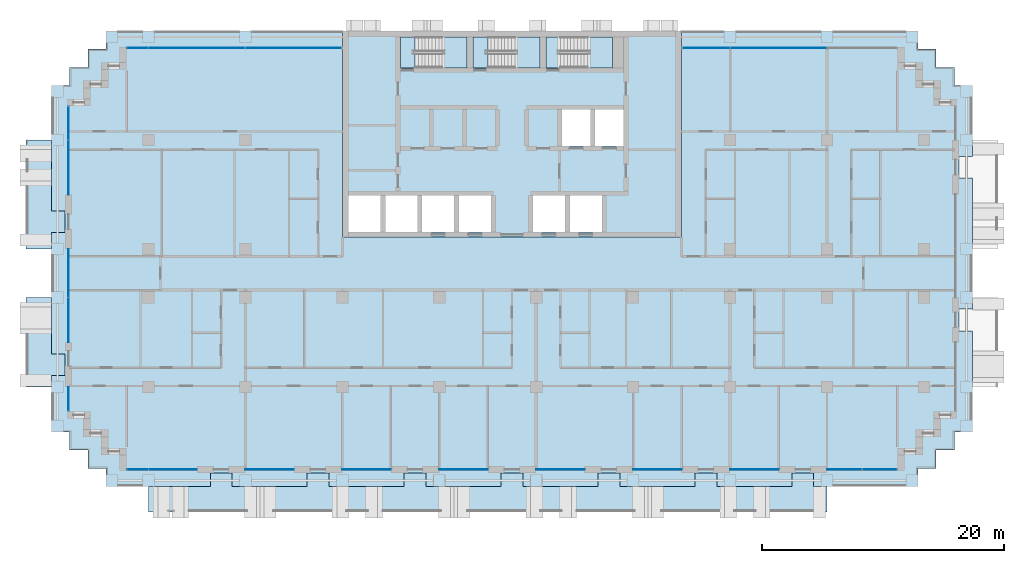
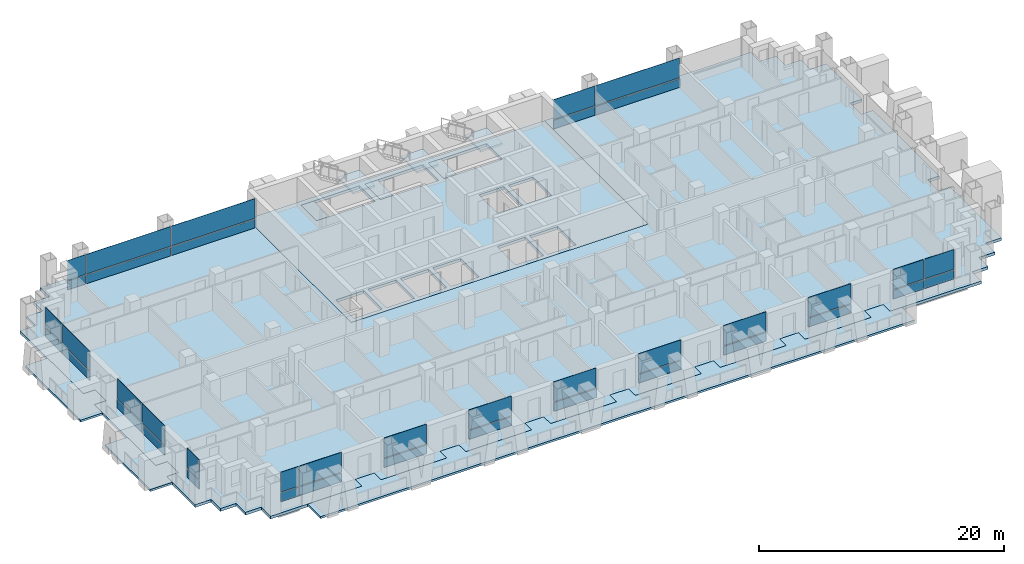
# One storey, part 7 of 18: 40 plates, 11 slabs, 16 elements without a shape of their own.
"""IFC4 building model written with IfcOpenShell, lengths in metres."""

from ifc_helpers import new_model, si_unit, direction, frame, origin, origin_2d, place, context, subcontext, project, spatial, polyline, rectangle, outline, extrude, material, layer, layer_set, type_object, element, aggregate, save


model = new_model("IFC4")

# Units and contexts
model_context = context("Model", 3, precision=1e-05, world=origin(), true_north=direction((0.0, 1.0)))
body_context = subcontext(model_context, "Body", "Model", "MODEL_VIEW")
ifc_project = project(units=[si_unit("LENGTHUNIT", "METRE"), si_unit("AREAUNIT", "SQUARE_METRE"), si_unit("VOLUMEUNIT", "CUBIC_METRE"), si_unit("PLANEANGLEUNIT", "RADIAN"), si_unit("MASSUNIT", "GRAM", prefix="KILO")], contexts=[model_context])

# Site, building, storey
site_placement = place(None, origin())
site = spatial("IfcSite", under=ifc_project, at=site_placement, CompositionType="ELEMENT")
building_placement = place(site_placement, origin())
building = spatial("IfcBuilding", under=site, at=building_placement, Name="Vidyagriha Tower", CompositionType="ELEMENT")
storey_placement = place(building_placement, frame((0.0, 0.0, 44.800048828125)))
storey = spatial("IfcBuildingStorey", under=building, at=storey_placement, Name="L11", CompositionType="ELEMENT", Elevation=44.800048828125)

# Curtain wall, plate
ifc_material_1 = material(Name="Aluminium and glass curtain wall", Category="aluminium")
curtain_wall_type = type_object("IfcCurtainWallType", Name="Dwelling skin unitised curtain wall", PredefinedType="USERDEFINED", material=ifc_material_1)
curtain_wall_1_placement = place(storey_placement, origin())
curtain_wall_1 = element("IfcCurtainWall", 1, at=curtain_wall_1_placement, inside=storey, type_object=curtain_wall_type, Name="CW1 dwelling skin", ObjectType="UNITISED", PredefinedType="USERDEFINED")
ifc_material_2 = material(Name="Glass dark ceramic-fritted spandrel", Category="glass")
ifc_layer_1 = layer(ifc_material_2, 0.0400390625)
ifc_layer_set_1 = layer_set([ifc_layer_1], Name="Glass dark ceramic-fritted spandrel")
plate_type_1 = type_object("IfcPlateType", Name="Ceramic-fritted spandrel panel", PredefinedType="CURTAIN_PANEL", material=ifc_layer_set_1)
plate_1_placement = place(storey_placement, frame((16.017578125, 18.60009765625, 0.0), z_axis=(0.0, 0.0, 1.0), x_axis=(-1.0, 0.0, 0.0)))
plate_1 = element("IfcPlate", 2, at=plate_1_placement, type_object=plate_type_1, Name="CW1 panel 3.1", PredefinedType="CURTAIN_PANEL", context=body_context, shape_type="SweptSolid", body=[
    extrude(rectangle(XDim=3.89501953125, YDim=0.0400390625, at=origin_2d()), origin(), (0.0, 0.0, 1.0), 0.85009765625),
])

# Curtain wall, plates
curtain_wall_2_placement = place(storey_placement, origin())
curtain_wall_2 = element("IfcCurtainWall", 3, at=curtain_wall_2_placement, inside=storey, type_object=curtain_wall_type, Name="CW1 dwelling skin", ObjectType="UNITISED", PredefinedType="USERDEFINED")
plate_2_placement = place(storey_placement, frame((-18.017578125, 18.60009765625, 0.0), z_axis=(0.0, 0.0, 1.0), x_axis=(-1.0, 0.0, 0.0)))
plate_2 = element("IfcPlate", 4, at=plate_2_placement, type_object=plate_type_1, Name="CW1 panel 1.1", PredefinedType="CURTAIN_PANEL", context=body_context, shape_type="SweptSolid", body=[
    extrude(rectangle(XDim=7.89501953125, YDim=0.0400390625, at=origin_2d()), origin(), (0.0, 0.0, 1.0), 0.85009765625),
])
plate_3_placement = place(storey_placement, frame((-30.882568359375, 18.60009765625, 0.0), z_axis=(0.0, 0.0, 1.0), x_axis=(-1.0, 0.0, 0.0)))
plate_3 = element("IfcPlate", 5, at=plate_3_placement, type_object=plate_type_1, Name="CW1 panel 3.1", PredefinedType="CURTAIN_PANEL", context=body_context, shape_type="SweptSolid", body=[
    extrude(rectangle(XDim=1.695068359375, YDim=0.0400390625, at=origin_2d()), origin(), (0.0, 0.0, 1.0), 0.85009765625),
])

curtain_wall_3_placement = place(storey_placement, origin())
curtain_wall_3 = element("IfcCurtainWall", 6, at=curtain_wall_3_placement, inside=storey, type_object=curtain_wall_type, Name="CW1 dwelling skin", ObjectType="UNITISED", PredefinedType="USERDEFINED")
plate_4_placement = place(storey_placement, frame((-36.60009765625, 12.382568359375, 0.0), z_axis=(0.0, 0.0, 1.0), x_axis=(0.0, -1.0, 0.0)))
plate_4 = element("IfcPlate", 7, at=plate_4_placement, type_object=plate_type_1, Name="CW1 panel 1.1", PredefinedType="CURTAIN_PANEL", context=body_context, shape_type="SweptSolid", body=[
    extrude(rectangle(XDim=2.695068359375, YDim=0.0400390625, at=origin_2d()), origin(), (0.0, 0.0, 1.0), 0.85009765625),
])
plate_5_placement = place(storey_placement, frame((-36.60009765625, 8.732421875, 0.0), z_axis=(0.0, 0.0, 1.0), x_axis=(0.0, -1.0, 0.0)))
plate_5 = element("IfcPlate", 8, at=plate_5_placement, type_object=plate_type_1, Name="CW1 panel 2.1", PredefinedType="CURTAIN_PANEL", context=body_context, shape_type="SweptSolid", body=[
    extrude(rectangle(XDim=4.465087890625, YDim=0.0400390625, at=origin_2d()), origin(), (0.0, 0.0, 1.0), 0.85009765625),
])

# Curtain wall, plate
curtain_wall_4_placement = place(storey_placement, origin())
curtain_wall_4 = element("IfcCurtainWall", 9, at=curtain_wall_4_placement, inside=storey, type_object=curtain_wall_type, Name="CW1 dwelling skin", ObjectType="UNITISED", PredefinedType="USERDEFINED")
plate_6_placement = place(storey_placement, frame((-36.60009765625, -10.364990234375, 0.0), z_axis=(0.0, 0.0, 1.0), x_axis=(0.0, -1.0, 0.0)))
plate_6 = element("IfcPlate", 10, at=plate_6_placement, type_object=plate_type_1, Name="CW1 panel 1.1", PredefinedType="CURTAIN_PANEL", context=body_context, shape_type="SweptSolid", body=[
    extrude(rectangle(XDim=1.929931640625, YDim=0.0400390625, at=origin_2d()), origin(), (0.0, 0.0, 1.0), 0.85009765625),
])

# Curtain wall, plates
curtain_wall_5_placement = place(storey_placement, origin())
curtain_wall_5 = element("IfcCurtainWall", 11, at=curtain_wall_5_placement, inside=storey, type_object=curtain_wall_type, Name="CW1 dwelling skin", ObjectType="UNITISED", PredefinedType="USERDEFINED")
plate_7_placement = place(storey_placement, frame((-30.882568359375, -16.199951171875, 0.0)))
plate_7 = element("IfcPlate", 12, at=plate_7_placement, type_object=plate_type_1, Name="CW1 panel 1.1", PredefinedType="CURTAIN_PANEL", context=body_context, shape_type="SweptSolid", body=[
    extrude(rectangle(XDim=1.695068359375, YDim=0.0400390625, at=origin_2d()), origin(), (0.0, 0.0, 1.0), 0.85009765625),
])
plate_8_placement = place(storey_placement, frame((-27.982421875, -16.199951171875, 0.0)))
plate_8 = element("IfcPlate", 13, at=plate_8_placement, type_object=plate_type_1, Name="CW1 panel 2.1", PredefinedType="CURTAIN_PANEL", context=body_context, shape_type="SweptSolid", body=[
    extrude(rectangle(XDim=3.965087890625, YDim=0.0400390625, at=origin_2d()), origin(), (0.0, 0.0, 1.0), 0.85009765625),
])

# Curtain wall, plate
curtain_wall_6_placement = place(storey_placement, origin())
curtain_wall_6 = element("IfcCurtainWall", 14, at=curtain_wall_6_placement, inside=storey, type_object=curtain_wall_type, Name="CW1 dwelling skin", ObjectType="UNITISED", PredefinedType="USERDEFINED")
plate_9_placement = place(storey_placement, frame((-12.0, -16.199951171875, 0.0)))
plate_9 = element("IfcPlate", 15, at=plate_9_placement, type_object=plate_type_1, Name="CW1 panel 1.1", PredefinedType="CURTAIN_PANEL", context=body_context, shape_type="SweptSolid", body=[
    extrude(rectangle(XDim=4.0, YDim=0.0400390625, at=origin_2d()), origin(), (0.0, 0.0, 1.0), 0.85009765625),
])

curtain_wall_7_placement = place(storey_placement, origin())
curtain_wall_7 = element("IfcCurtainWall", 16, at=curtain_wall_7_placement, inside=storey, type_object=curtain_wall_type, Name="CW1 dwelling skin", ObjectType="UNITISED", PredefinedType="USERDEFINED")
plate_10_placement = place(storey_placement, frame((4.0, -16.199951171875, 0.0)))
plate_10 = element("IfcPlate", 17, at=plate_10_placement, type_object=plate_type_1, Name="CW1 panel 1.1", PredefinedType="CURTAIN_PANEL", context=body_context, shape_type="SweptSolid", body=[
    extrude(rectangle(XDim=4.0, YDim=0.0400390625, at=origin_2d()), origin(), (0.0, 0.0, 1.0), 0.85009765625),
])

curtain_wall_8_placement = place(storey_placement, origin())
curtain_wall_8 = element("IfcCurtainWall", 18, at=curtain_wall_8_placement, inside=storey, type_object=curtain_wall_type, Name="CW1 dwelling skin", ObjectType="UNITISED", PredefinedType="USERDEFINED")
plate_11_placement = place(storey_placement, frame((20.0, -16.199951171875, 0.0)))
plate_11 = element("IfcPlate", 19, at=plate_11_placement, type_object=plate_type_1, Name="CW1 panel 1.1", PredefinedType="CURTAIN_PANEL", context=body_context, shape_type="SweptSolid", body=[
    extrude(rectangle(XDim=4.0, YDim=0.0400390625, at=origin_2d()), origin(), (0.0, 0.0, 1.0), 0.85009765625),
])

curtain_wall_9_placement = place(storey_placement, origin())
curtain_wall_9 = element("IfcCurtainWall", 20, at=curtain_wall_9_placement, inside=storey, type_object=curtain_wall_type, Name="CW1 dwelling skin", ObjectType="UNITISED", PredefinedType="USERDEFINED")
plate_12_placement = place(storey_placement, frame((30.33251953125, -16.199951171875, 0.0)))
plate_12 = element("IfcPlate", 21, at=plate_12_placement, type_object=plate_type_1, Name="CW1 panel 2.1", PredefinedType="CURTAIN_PANEL", context=body_context, shape_type="SweptSolid", body=[
    extrude(rectangle(XDim=2.794921875, YDim=0.0400390625, at=origin_2d()), origin(), (0.0, 0.0, 1.0), 0.85009765625),
])

# Slab
ifc_material_3 = material(Name="Concrete C60/75", Category="concrete")
ifc_layer_2 = layer(ifc_material_3, 0.280029296875)
ifc_layer_set_2 = layer_set([ifc_layer_2], Name="Concrete C60/75")
slab_type_1 = type_object("IfcSlabType", Name="Core floor slab 280 mm", PredefinedType="FLOOR", material=ifc_layer_set_2)
slab_1_placement = place(storey_placement, frame((0.0, 0.0, -0.280029296875)))
element("IfcSlab", 22, at=slab_1_placement, inside=storey, type_object=slab_type_1, Name="L11 core floor 1", PredefinedType="FLOOR", context=body_context, shape_type="SweptSolid", body=[
    extrude(outline(polyline([(-14.0, 3.0), (-14.0, 20.0), (14.0, 20.0), (14.0, 3.0), (-14.0, 3.0)]), holes=[polyline([(9.199951171875, 13.5), (6.86669921875, 13.5), (6.86669921875, 10.5), (9.199951171875, 10.5), (9.199951171875, 13.5)]), polyline([(4.0, 19.5), (2.800048828125, 19.5), (2.800048828125, 16.949951171875), (4.0, 16.949951171875), (8.300048828125, 16.949951171875), (8.300048828125, 19.5), (4.0, 19.5)]), polyline([(7.4111328125, 6.39990234375), (4.7666015625, 6.39990234375), (4.7666015625, 3.39990234375), (7.4111328125, 3.39990234375), (7.4111328125, 6.39990234375)]), polyline([(6.466796875, 13.5), (4.13330078125, 13.5), (4.13330078125, 10.5), (6.466796875, 10.5), (6.466796875, 13.5)]), polyline([(1.72216796875, 6.39990234375), (1.72216796875, 3.39990234375), (4.36669921875, 3.39990234375), (4.36669921875, 6.39990234375), (1.72216796875, 6.39990234375)]), polyline([(-2.0, 16.949951171875), (2.300048828125, 16.949951171875), (2.300048828125, 19.5), (-2.0, 19.5), (-3.199951171875, 19.5), (-3.199951171875, 16.949951171875), (-2.0, 16.949951171875)]), polyline([(-1.72216796875, 6.39990234375), (-4.36669921875, 6.39990234375), (-4.36669921875, 3.39990234375), (-1.72216796875, 3.39990234375), (-1.72216796875, 6.39990234375)]), polyline([(-8.0, 19.5), (-9.199951171875, 19.5), (-9.199951171875, 16.949951171875), (-8.0, 16.949951171875), (-3.699951171875, 16.949951171875), (-3.699951171875, 19.5), (-8.0, 19.5)]), polyline([(-4.7666015625, 6.39990234375), (-7.4111328125, 6.39990234375), (-7.4111328125, 3.39990234375), (-4.7666015625, 3.39990234375), (-4.7666015625, 6.39990234375)]), polyline([(-7.81103515625, 6.39990234375), (-10.45556640625, 6.39990234375), (-10.45556640625, 3.39990234375), (-7.81103515625, 3.39990234375), (-7.81103515625, 6.39990234375)]), polyline([(-13.5, 6.39990234375), (-13.5, 3.39990234375), (-10.855712890625, 3.39990234375), (-10.855712890625, 6.39990234375), (-13.5, 6.39990234375)])]), origin(), (0.0, 0.0, 1.0), 0.280029296875),
])

# Plate
ifc_material_4 = material(Name="Glass dark ceramic-fritted", Category="glass")
ifc_layer_3 = layer(ifc_material_4, 0.028076171875)
ifc_layer_set_3 = layer_set([ifc_layer_3], Name="Glass dark ceramic-fritted")
plate_type_2 = type_object("IfcPlateType", Name="Dark ceramic-fritted vision glass panel", PredefinedType="CURTAIN_PANEL", material=ifc_layer_set_3)
plate_13_placement = place(storey_placement, frame((22.0, 18.60009765625, 0.9501953125), z_axis=(0.0, 0.0, 1.0), x_axis=(-1.0, 0.0, 0.0)))
plate_13 = element("IfcPlate", 23, at=plate_13_placement, type_object=plate_type_2, Name="CW1 panel 2.2", PredefinedType="CURTAIN_PANEL", context=body_context, shape_type="SweptSolid", body=[
    extrude(rectangle(XDim=7.929931640625, YDim=0.028076171875, at=origin_2d()), origin(), (0.0, 0.0, 1.0), 1.969970703125),
])

plate_14_placement = place(storey_placement, frame((16.017578125, 18.60009765625, 0.9501953125), z_axis=(0.0, 0.0, 1.0), x_axis=(-1.0, 0.0, 0.0)))
plate_14 = element("IfcPlate", 24, at=plate_14_placement, type_object=plate_type_2, Name="CW1 panel 3.2", PredefinedType="CURTAIN_PANEL", context=body_context, shape_type="SweptSolid", body=[
    extrude(rectangle(XDim=3.89501953125, YDim=0.028076171875, at=origin_2d()), origin(), (0.0, 0.0, 1.0), 1.969970703125),
])

plate_15_placement = place(storey_placement, frame((-18.017578125, 18.60009765625, 0.9501953125), z_axis=(0.0, 0.0, 1.0), x_axis=(-1.0, 0.0, 0.0)))
plate_15 = element("IfcPlate", 25, at=plate_15_placement, type_object=plate_type_2, Name="CW1 panel 1.2", PredefinedType="CURTAIN_PANEL", context=body_context, shape_type="SweptSolid", body=[
    extrude(rectangle(XDim=7.89501953125, YDim=0.028076171875, at=origin_2d()), origin(), (0.0, 0.0, 1.0), 1.969970703125),
])

plate_16_placement = place(storey_placement, frame((-26.0, 18.60009765625, 0.9501953125), z_axis=(0.0, 0.0, 1.0), x_axis=(-1.0, 0.0, 0.0)))
plate_16 = element("IfcPlate", 26, at=plate_16_placement, type_object=plate_type_2, Name="CW1 panel 2.2", PredefinedType="CURTAIN_PANEL", context=body_context, shape_type="SweptSolid", body=[
    extrude(rectangle(XDim=7.929931640625, YDim=0.028076171875, at=origin_2d()), origin(), (0.0, 0.0, 1.0), 1.969970703125),
])

plate_17_placement = place(storey_placement, frame((-30.882568359375, 18.60009765625, 0.9501953125), z_axis=(0.0, 0.0, 1.0), x_axis=(-1.0, 0.0, 0.0)))
plate_17 = element("IfcPlate", 27, at=plate_17_placement, type_object=plate_type_2, Name="CW1 panel 3.2", PredefinedType="CURTAIN_PANEL", context=body_context, shape_type="SweptSolid", body=[
    extrude(rectangle(XDim=1.695068359375, YDim=0.028076171875, at=origin_2d()), origin(), (0.0, 0.0, 1.0), 1.969970703125),
])

plate_18_placement = place(storey_placement, frame((-36.60009765625, 12.382568359375, 0.9501953125), z_axis=(0.0, 0.0, 1.0), x_axis=(0.0, -1.0, 0.0)))
plate_18 = element("IfcPlate", 28, at=plate_18_placement, type_object=plate_type_2, Name="CW1 panel 1.2", PredefinedType="CURTAIN_PANEL", context=body_context, shape_type="SweptSolid", body=[
    extrude(rectangle(XDim=2.695068359375, YDim=0.028076171875, at=origin_2d()), origin(), (0.0, 0.0, 1.0), 1.969970703125),
])

plate_19_placement = place(storey_placement, frame((-36.60009765625, 8.732421875, 0.9501953125), z_axis=(0.0, 0.0, 1.0), x_axis=(0.0, -1.0, 0.0)))
plate_19 = element("IfcPlate", 29, at=plate_19_placement, type_object=plate_type_2, Name="CW1 panel 2.2", PredefinedType="CURTAIN_PANEL", context=body_context, shape_type="SweptSolid", body=[
    extrude(rectangle(XDim=4.465087890625, YDim=0.028076171875, at=origin_2d()), origin(), (0.0, 0.0, 1.0), 1.969970703125),
])

aggregate(curtain_wall_3, [plate_4, plate_18, plate_5, plate_19])

# Curtain wall, plates
curtain_wall_10_placement = place(storey_placement, origin())
curtain_wall_10 = element("IfcCurtainWall", 30, at=curtain_wall_10_placement, inside=storey, type_object=curtain_wall_type, Name="CW1 dwelling skin", ObjectType="UNITISED", PredefinedType="USERDEFINED")
plate_20_placement = place(storey_placement, frame((-36.60009765625, 0.017578125, 0.9501953125), z_axis=(0.0, 0.0, 1.0), x_axis=(0.0, -1.0, 0.0)))
plate_20 = element("IfcPlate", 31, at=plate_20_placement, type_object=plate_type_2, Name="CW1 panel 1.2", PredefinedType="CURTAIN_PANEL", context=body_context, shape_type="SweptSolid", body=[
    extrude(rectangle(XDim=3.965087890625, YDim=0.028076171875, at=origin_2d()), origin(), (0.0, 0.0, 1.0), 1.969970703125),
])
plate_21_placement = place(storey_placement, frame((-36.60009765625, -3.867431640625, 0.9501953125), z_axis=(0.0, 0.0, 1.0), x_axis=(0.0, -1.0, 0.0)))
plate_21 = element("IfcPlate", 32, at=plate_21_placement, type_object=plate_type_2, Name="CW1 panel 2.2", PredefinedType="CURTAIN_PANEL", context=body_context, shape_type="SweptSolid", body=[
    extrude(rectangle(XDim=3.6650390625, YDim=0.028076171875, at=origin_2d()), origin(), (0.0, 0.0, 1.0), 1.969970703125),
])

# Plate
plate_22_placement = place(storey_placement, frame((-36.60009765625, -10.364990234375, 0.9501953125), z_axis=(0.0, 0.0, 1.0), x_axis=(0.0, -1.0, 0.0)))
plate_22 = element("IfcPlate", 33, at=plate_22_placement, type_object=plate_type_2, Name="CW1 panel 1.2", PredefinedType="CURTAIN_PANEL", context=body_context, shape_type="SweptSolid", body=[
    extrude(rectangle(XDim=1.929931640625, YDim=0.028076171875, at=origin_2d()), origin(), (0.0, 0.0, 1.0), 1.969970703125),
])

aggregate(curtain_wall_4, [plate_6, plate_22])

plate_23_placement = place(storey_placement, frame((-30.882568359375, -16.199951171875, 0.9501953125)))
plate_23 = element("IfcPlate", 34, at=plate_23_placement, type_object=plate_type_2, Name="CW1 panel 1.2", PredefinedType="CURTAIN_PANEL", context=body_context, shape_type="SweptSolid", body=[
    extrude(rectangle(XDim=1.695068359375, YDim=0.028076171875, at=origin_2d()), origin(), (0.0, 0.0, 1.0), 1.969970703125),
])

plate_24_placement = place(storey_placement, frame((-27.982421875, -16.199951171875, 0.9501953125)))
plate_24 = element("IfcPlate", 35, at=plate_24_placement, type_object=plate_type_2, Name="CW1 panel 2.2", PredefinedType="CURTAIN_PANEL", context=body_context, shape_type="SweptSolid", body=[
    extrude(rectangle(XDim=3.965087890625, YDim=0.028076171875, at=origin_2d()), origin(), (0.0, 0.0, 1.0), 1.969970703125),
])

aggregate(curtain_wall_5, [plate_7, plate_23, plate_8, plate_24])

# Curtain wall, plate
curtain_wall_11_placement = place(storey_placement, origin())
curtain_wall_11 = element("IfcCurtainWall", 36, at=curtain_wall_11_placement, inside=storey, type_object=curtain_wall_type, Name="CW1 dwelling skin", ObjectType="UNITISED", PredefinedType="USERDEFINED")
plate_25_placement = place(storey_placement, frame((-20.0, -16.199951171875, 0.9501953125)))
plate_25 = element("IfcPlate", 37, at=plate_25_placement, type_object=plate_type_2, Name="CW1 panel 1.2", PredefinedType="CURTAIN_PANEL", context=body_context, shape_type="SweptSolid", body=[
    extrude(rectangle(XDim=4.0, YDim=0.028076171875, at=origin_2d()), origin(), (0.0, 0.0, 1.0), 1.969970703125),
])

# Plate
plate_26_placement = place(storey_placement, frame((-12.0, -16.199951171875, 0.9501953125)))
plate_26 = element("IfcPlate", 38, at=plate_26_placement, type_object=plate_type_2, Name="CW1 panel 1.2", PredefinedType="CURTAIN_PANEL", context=body_context, shape_type="SweptSolid", body=[
    extrude(rectangle(XDim=4.0, YDim=0.028076171875, at=origin_2d()), origin(), (0.0, 0.0, 1.0), 1.969970703125),
])

aggregate(curtain_wall_6, [plate_9, plate_26])

# Curtain wall, plate
curtain_wall_12_placement = place(storey_placement, origin())
curtain_wall_12 = element("IfcCurtainWall", 39, at=curtain_wall_12_placement, inside=storey, type_object=curtain_wall_type, Name="CW1 dwelling skin", ObjectType="UNITISED", PredefinedType="USERDEFINED")
plate_27_placement = place(storey_placement, frame((-4.0, -16.199951171875, 0.9501953125)))
plate_27 = element("IfcPlate", 40, at=plate_27_placement, type_object=plate_type_2, Name="CW1 panel 1.2", PredefinedType="CURTAIN_PANEL", context=body_context, shape_type="SweptSolid", body=[
    extrude(rectangle(XDim=4.0, YDim=0.028076171875, at=origin_2d()), origin(), (0.0, 0.0, 1.0), 1.969970703125),
])

# Plate
plate_28_placement = place(storey_placement, frame((4.0, -16.199951171875, 0.9501953125)))
plate_28 = element("IfcPlate", 41, at=plate_28_placement, type_object=plate_type_2, Name="CW1 panel 1.2", PredefinedType="CURTAIN_PANEL", context=body_context, shape_type="SweptSolid", body=[
    extrude(rectangle(XDim=4.0, YDim=0.028076171875, at=origin_2d()), origin(), (0.0, 0.0, 1.0), 1.969970703125),
])

aggregate(curtain_wall_7, [plate_10, plate_28])

# Curtain wall, plate
curtain_wall_13_placement = place(storey_placement, origin())
curtain_wall_13 = element("IfcCurtainWall", 42, at=curtain_wall_13_placement, inside=storey, type_object=curtain_wall_type, Name="CW1 dwelling skin", ObjectType="UNITISED", PredefinedType="USERDEFINED")
plate_29_placement = place(storey_placement, frame((12.0, -16.199951171875, 0.9501953125)))
plate_29 = element("IfcPlate", 43, at=plate_29_placement, type_object=plate_type_2, Name="CW1 panel 1.2", PredefinedType="CURTAIN_PANEL", context=body_context, shape_type="SweptSolid", body=[
    extrude(rectangle(XDim=4.0, YDim=0.028076171875, at=origin_2d()), origin(), (0.0, 0.0, 1.0), 1.969970703125),
])

# Plate
plate_30_placement = place(storey_placement, frame((20.0, -16.199951171875, 0.9501953125)))
plate_30 = element("IfcPlate", 44, at=plate_30_placement, type_object=plate_type_2, Name="CW1 panel 1.2", PredefinedType="CURTAIN_PANEL", context=body_context, shape_type="SweptSolid", body=[
    extrude(rectangle(XDim=4.0, YDim=0.028076171875, at=origin_2d()), origin(), (0.0, 0.0, 1.0), 1.969970703125),
])

aggregate(curtain_wall_8, [plate_11, plate_30])

plate_31_placement = place(storey_placement, frame((27.4326171875, -16.199951171875, 0.9501953125)))
plate_31 = element("IfcPlate", 45, at=plate_31_placement, type_object=plate_type_2, Name="CW1 panel 1.2", PredefinedType="CURTAIN_PANEL", context=body_context, shape_type="SweptSolid", body=[
    extrude(rectangle(XDim=2.864990234375, YDim=0.028076171875, at=origin_2d()), origin(), (0.0, 0.0, 1.0), 1.969970703125),
])

plate_32_placement = place(storey_placement, frame((30.33251953125, -16.199951171875, 0.9501953125)))
plate_32 = element("IfcPlate", 46, at=plate_32_placement, type_object=plate_type_2, Name="CW1 panel 2.2", PredefinedType="CURTAIN_PANEL", context=body_context, shape_type="SweptSolid", body=[
    extrude(rectangle(XDim=2.794921875, YDim=0.028076171875, at=origin_2d()), origin(), (0.0, 0.0, 1.0), 1.969970703125),
])

# Slabs
ifc_material_5 = material(Name="Concrete C40/50", Category="concrete")
ifc_layer_4 = layer(ifc_material_5, 0.280029296875)
ifc_layer_set_4 = layer_set([ifc_layer_4], Name="Concrete C40/50")
slab_type_2 = type_object("IfcSlabType", Name="Exit stair floor landing 280 mm", PredefinedType="LANDING", material=ifc_layer_set_4)
slab_2_placement = place(storey_placement, frame((0.0, 0.0, -0.280029296875)))
element("IfcSlab", 47, at=slab_2_placement, inside=storey, type_object=slab_type_2, Name="ST1 floor landing L11", PredefinedType="LANDING", context=body_context, shape_type="SweptSolid", body=[
    extrude(outline(polyline([(-9.199951171875, 16.949951171875), (-8.0, 16.949951171875), (-8.0, 19.5), (-9.199951171875, 19.5), (-9.199951171875, 16.949951171875)])), origin(), (0.0, 0.0, 1.0), 0.280029296875),
])
slab_3_placement = place(storey_placement, frame((0.0, 0.0, -0.280029296875)))
element("IfcSlab", 48, at=slab_3_placement, inside=storey, type_object=slab_type_2, Name="ST2 floor landing L11", PredefinedType="LANDING", context=body_context, shape_type="SweptSolid", body=[
    extrude(outline(polyline([(-3.199951171875, 16.949951171875), (-2.0, 16.949951171875), (-2.0, 19.5), (-3.199951171875, 19.5), (-3.199951171875, 16.949951171875)])), origin(), (0.0, 0.0, 1.0), 0.280029296875),
])
slab_4_placement = place(storey_placement, frame((0.0, 0.0, -0.280029296875)))
element("IfcSlab", 49, at=slab_4_placement, inside=storey, type_object=slab_type_2, Name="ST3 floor landing L11", PredefinedType="LANDING", context=body_context, shape_type="SweptSolid", body=[
    extrude(outline(polyline([(2.800048828125, 16.949951171875), (4.0, 16.949951171875), (4.0, 19.5), (2.800048828125, 19.5), (2.800048828125, 16.949951171875)])), origin(), (0.0, 0.0, 1.0), 0.280029296875),
])

# Stair, slab
ifc_material_6 = material(Name="Concrete C40/50", Category="concrete")
stair_type = type_object("IfcStairType", Name="Exit stair, half-turn, precast flights", PredefinedType="HALF_TURN_STAIR", material=ifc_material_6)
stair_1_placement = place(storey_placement, origin())
stair_1 = element("IfcStair", 50, at=stair_1_placement, inside=storey, type_object=stair_type, Name="L11 Exit Stair ST1", PredefinedType="HALF_TURN_STAIR")
ifc_material_7 = material(Name="Concrete C40/50", Category="concrete")
ifc_layer_5 = layer(ifc_material_7, 0.199951171875)
ifc_layer_set_5 = layer_set([ifc_layer_5], Name="Concrete C40/50")
slab_type_3 = type_object("IfcSlabType", Name="Exit stair landing 200 mm", PredefinedType="LANDING", material=ifc_layer_set_5)
slab_5_placement = place(storey_placement, frame((0.0, 0.0, 1.39990234375)))
slab_5 = element("IfcSlab", 51, at=slab_5_placement, type_object=slab_type_3, Name="ST1 landing 1", PredefinedType="LANDING", context=body_context, shape_type="SweptSolid", body=[
    extrude(outline(polyline([(-5.760009765625, 16.949951171875), (-3.699951171875, 16.949951171875), (-3.699951171875, 19.5), (-5.760009765625, 19.5), (-5.760009765625, 16.949951171875)])), origin(), (0.0, 0.0, 1.0), 0.199951171875),
])
aggregate(stair_1, [slab_5])

stair_2_placement = place(storey_placement, origin())
stair_2 = element("IfcStair", 52, at=stair_2_placement, inside=storey, type_object=stair_type, Name="L11 Exit Stair ST2", PredefinedType="HALF_TURN_STAIR")
slab_6_placement = place(storey_placement, frame((0.0, 0.0, 1.39990234375)))
slab_6 = element("IfcSlab", 53, at=slab_6_placement, type_object=slab_type_3, Name="ST2 landing 1", PredefinedType="LANDING", context=body_context, shape_type="SweptSolid", body=[
    extrude(outline(polyline([(0.239990234375, 16.949951171875), (2.300048828125, 16.949951171875), (2.300048828125, 19.5), (0.239990234375, 19.5), (0.239990234375, 16.949951171875)])), origin(), (0.0, 0.0, 1.0), 0.199951171875),
])
aggregate(stair_2, [slab_6])

stair_3_placement = place(storey_placement, origin())
stair_3 = element("IfcStair", 54, at=stair_3_placement, inside=storey, type_object=stair_type, Name="L11 Exit Stair ST3", PredefinedType="HALF_TURN_STAIR")
slab_7_placement = place(storey_placement, frame((0.0, 0.0, 1.39990234375)))
slab_7 = element("IfcSlab", 55, at=slab_7_placement, type_object=slab_type_3, Name="ST3 landing 1", PredefinedType="LANDING", context=body_context, shape_type="SweptSolid", body=[
    extrude(outline(polyline([(6.239990234375, 16.949951171875), (8.300048828125, 16.949951171875), (8.300048828125, 19.5), (6.239990234375, 19.5), (6.239990234375, 16.949951171875)])), origin(), (0.0, 0.0, 1.0), 0.199951171875),
])
aggregate(stair_3, [slab_7])

# Plate
ifc_material_8 = material(Name="Aluminium black anodised", Category="aluminium")
ifc_layer_6 = layer(ifc_material_8, 0.06005859375)
ifc_layer_set_6 = layer_set([ifc_layer_6], Name="Aluminium black anodised")
plate_type_3 = type_object("IfcPlateType", Name="Operable black-metal vent panel", PredefinedType="CURTAIN_PANEL", material=ifc_layer_set_6)
plate_33_placement = place(storey_placement, frame((22.0, 18.60009765625, 0.0), z_axis=(0.0, 0.0, 1.0), x_axis=(-1.0, 0.0, 0.0)))
plate_33 = element("IfcPlate", 56, at=plate_33_placement, type_object=plate_type_3, Name="CW1 panel 2.1", PredefinedType="CURTAIN_PANEL", context=body_context, shape_type="SweptSolid", body=[
    extrude(rectangle(XDim=7.929931640625, YDim=0.06005859375, at=origin_2d()), origin(), (0.0, 0.0, 1.0), 0.85009765625),
])

aggregate(curtain_wall_1, [plate_33, plate_13, plate_1, plate_14])

plate_34_placement = place(storey_placement, frame((-26.0, 18.60009765625, 0.0), z_axis=(0.0, 0.0, 1.0), x_axis=(-1.0, 0.0, 0.0)))
plate_34 = element("IfcPlate", 57, at=plate_34_placement, type_object=plate_type_3, Name="CW1 panel 2.1", PredefinedType="CURTAIN_PANEL", context=body_context, shape_type="SweptSolid", body=[
    extrude(rectangle(XDim=7.929931640625, YDim=0.06005859375, at=origin_2d()), origin(), (0.0, 0.0, 1.0), 0.85009765625),
])

aggregate(curtain_wall_2, [plate_2, plate_15, plate_34, plate_16, plate_3, plate_17])

plate_35_placement = place(storey_placement, frame((-36.60009765625, 0.017578125, 0.0), z_axis=(0.0, 0.0, 1.0), x_axis=(0.0, -1.0, 0.0)))
plate_35 = element("IfcPlate", 58, at=plate_35_placement, type_object=plate_type_3, Name="CW1 panel 1.1", PredefinedType="CURTAIN_PANEL", context=body_context, shape_type="SweptSolid", body=[
    extrude(rectangle(XDim=3.965087890625, YDim=0.06005859375, at=origin_2d()), origin(), (0.0, 0.0, 1.0), 0.85009765625),
])

plate_36_placement = place(storey_placement, frame((-36.60009765625, -3.867431640625, 0.0), z_axis=(0.0, 0.0, 1.0), x_axis=(0.0, -1.0, 0.0)))
plate_36 = element("IfcPlate", 59, at=plate_36_placement, type_object=plate_type_3, Name="CW1 panel 2.1", PredefinedType="CURTAIN_PANEL", context=body_context, shape_type="SweptSolid", body=[
    extrude(rectangle(XDim=3.6650390625, YDim=0.06005859375, at=origin_2d()), origin(), (0.0, 0.0, 1.0), 0.85009765625),
])

aggregate(curtain_wall_10, [plate_35, plate_20, plate_36, plate_21])

plate_37_placement = place(storey_placement, frame((-20.0, -16.199951171875, 0.0)))
plate_37 = element("IfcPlate", 60, at=plate_37_placement, type_object=plate_type_3, Name="CW1 panel 1.1", PredefinedType="CURTAIN_PANEL", context=body_context, shape_type="SweptSolid", body=[
    extrude(rectangle(XDim=4.0, YDim=0.06005859375, at=origin_2d()), origin(), (0.0, 0.0, 1.0), 0.85009765625),
])

aggregate(curtain_wall_11, [plate_37, plate_25])

plate_38_placement = place(storey_placement, frame((-4.0, -16.199951171875, 0.0)))
plate_38 = element("IfcPlate", 61, at=plate_38_placement, type_object=plate_type_3, Name="CW1 panel 1.1", PredefinedType="CURTAIN_PANEL", context=body_context, shape_type="SweptSolid", body=[
    extrude(rectangle(XDim=4.0, YDim=0.06005859375, at=origin_2d()), origin(), (0.0, 0.0, 1.0), 0.85009765625),
])

aggregate(curtain_wall_12, [plate_38, plate_27])

plate_39_placement = place(storey_placement, frame((12.0, -16.199951171875, 0.0)))
plate_39 = element("IfcPlate", 62, at=plate_39_placement, type_object=plate_type_3, Name="CW1 panel 1.1", PredefinedType="CURTAIN_PANEL", context=body_context, shape_type="SweptSolid", body=[
    extrude(rectangle(XDim=4.0, YDim=0.06005859375, at=origin_2d()), origin(), (0.0, 0.0, 1.0), 0.85009765625),
])

aggregate(curtain_wall_13, [plate_39, plate_29])

plate_40_placement = place(storey_placement, frame((27.4326171875, -16.199951171875, 0.0)))
plate_40 = element("IfcPlate", 63, at=plate_40_placement, type_object=plate_type_3, Name="CW1 panel 1.1", PredefinedType="CURTAIN_PANEL", context=body_context, shape_type="SweptSolid", body=[
    extrude(rectangle(XDim=2.864990234375, YDim=0.06005859375, at=origin_2d()), origin(), (0.0, 0.0, 1.0), 0.85009765625),
])

aggregate(curtain_wall_9, [plate_40, plate_31, plate_12, plate_32])

# Slabs
ifc_material_9 = material(Name="Concrete C50/60", Category="concrete")
ifc_layer_7 = layer(ifc_material_9, 0.280029296875)
ifc_layer_set_7 = layer_set([ifc_layer_7], Name="Concrete C50/60")
slab_type_4 = type_object("IfcSlabType", Name="Post-tensioned flat plate 280", PredefinedType="FLOOR", material=ifc_layer_set_7)
slab_8_placement = place(storey_placement, frame((0.0, 0.0, -0.280029296875)))
element("IfcSlab", 64, at=slab_8_placement, inside=storey, type_object=slab_type_4, Name="st-slab-L11-1", PredefinedType="FLOOR", context=body_context, shape_type="SweptSolid", body=[
    extrude(outline(polyline([(36.5, -14.60009765625), (35.0, -14.60009765625), (35.0, -16.10009765625), (33.5, -16.10009765625), (33.5, -17.60009765625), (24.89990234375, -17.60009765625), (24.89990234375, -16.5), (23.10009765625, -16.5), (23.10009765625, -17.60009765625), (16.89990234375, -17.60009765625), (16.89990234375, -16.5), (15.10009765625, -16.5), (15.10009765625, -17.60009765625), (8.89990234375, -17.60009765625), (8.89990234375, -16.5), (7.10009765625, -16.5), (7.10009765625, -17.60009765625), (0.89990234375, -17.60009765625), (0.89990234375, -16.5), (-0.89990234375, -16.5), (-0.89990234375, -17.60009765625), (-7.10009765625, -17.60009765625), (-7.10009765625, -16.5), (-8.89990234375, -16.5), (-8.89990234375, -17.60009765625), (-15.10009765625, -17.60009765625), (-15.10009765625, -16.5), (-16.89990234375, -16.5), (-16.89990234375, -17.60009765625), (-23.10009765625, -17.60009765625), (-23.10009765625, -16.5), (-24.89990234375, -16.5), (-24.89990234375, -17.60009765625), (-33.5, -17.60009765625), (-33.5, -16.10009765625), (-35.0, -16.10009765625), (-35.0, -14.60009765625), (-36.5, -14.60009765625), (-36.5, -13.10009765625), (-38.0, -13.10009765625), (-38.0, -8.449951171875), (-36.89990234375, -8.449951171875), (-36.89990234375, -6.64990234375), (-38.0, -6.64990234375), (-38.0, 3.35009765625), (-36.89990234375, 3.35009765625), (-36.89990234375, 5.14990234375), (-38.0, 5.14990234375), (-38.0, 15.5), (-36.5, 15.5), (-36.5, 17.0), (-35.0, 17.0), (-35.0, 18.5), (-33.5, 18.5), (-33.5, 20.0), (-14.0, 20.0), (-14.0, 3.0), (14.0, 3.0), (14.0, 20.0), (33.5, 20.0), (33.5, 18.5), (35.0, 18.5), (35.0, 17.0), (36.5, 17.0), (36.5, 15.5), (38.0, 15.5), (38.0, 9.64990234375), (36.89990234375, 9.64990234375), (36.89990234375, 7.85009765625), (38.0, 7.85009765625), (38.0, -2.949951171875), (36.89990234375, -2.949951171875), (36.89990234375, -4.75), (38.0, -4.75), (38.0, -13.10009765625), (36.5, -13.10009765625), (36.5, -14.60009765625)])), origin(), (0.0, 0.0, 1.0), 0.280029296875),
])
ifc_material_10 = material(Name="Precast concrete C40/50", Category="concrete")
ifc_layer_8 = layer(ifc_material_10, 0.199951171875)
ifc_layer_set_8 = layer_set([ifc_layer_8], Name="Precast concrete C40/50")
slab_type_5 = type_object("IfcSlabType", Name="Precast balcony slab 200", PredefinedType="USERDEFINED", material=ifc_layer_set_8)
slab_9_placement = place(storey_placement, frame((0.0, 0.0, -0.199951171875)))
element("IfcSlab", 65, at=slab_9_placement, inside=storey, type_object=slab_type_5, Name="Balcony slab L11 R16.1-1", ObjectType="BALCONY", PredefinedType="USERDEFINED", context=body_context, shape_type="SweptSolid", body=[
    extrude(outline(polyline([(-36.89990234375, 3.35009765625), (-36.89990234375, 5.14990234375), (-38.0, 5.14990234375), (-38.0, 11.0), (-40.10009765625, 11.0), (-40.10009765625, 2.0), (-38.0, 2.0), (-38.0, 3.35009765625), (-36.89990234375, 3.35009765625)])), origin(), (0.0, 0.0, 1.0), 0.199951171875),
])
slab_10_placement = place(storey_placement, frame((0.0, 0.0, -0.199951171875)))
element("IfcSlab", 66, at=slab_10_placement, inside=storey, type_object=slab_type_5, Name="Balcony slab L11 R16.2-2", ObjectType="BALCONY", PredefinedType="USERDEFINED", context=body_context, shape_type="SweptSolid", body=[
    extrude(outline(polyline([(-36.89990234375, -8.449951171875), (-36.89990234375, -6.64990234375), (-38.0, -6.64990234375), (-38.0, -2.0), (-40.10009765625, -2.0), (-40.10009765625, -9.39990234375), (-38.0, -9.39990234375), (-38.0, -8.449951171875), (-36.89990234375, -8.449951171875)])), origin(), (0.0, 0.0, 1.0), 0.199951171875),
])
slab_11_placement = place(storey_placement, frame((0.0, 0.0, -0.199951171875)))
element("IfcSlab", 67, at=slab_11_placement, inside=storey, type_object=slab_type_5, Name="Balcony slab L11 R23.1-7", ObjectType="BALCONY", PredefinedType="USERDEFINED", context=body_context, shape_type="SweptSolid", body=[
    extrude(outline(polyline([(-23.10009765625, -16.5), (-24.89990234375, -16.5), (-24.89990234375, -17.60009765625), (-30.0, -17.60009765625), (-30.0, -19.699951171875), (26.0, -19.699951171875), (26.0, -17.60009765625), (24.89990234375, -17.60009765625), (24.89990234375, -16.5), (23.10009765625, -16.5), (23.10009765625, -17.60009765625), (16.89990234375, -17.60009765625), (16.89990234375, -16.5), (15.10009765625, -16.5), (15.10009765625, -17.60009765625), (8.89990234375, -17.60009765625), (8.89990234375, -16.5), (7.10009765625, -16.5), (7.10009765625, -17.60009765625), (0.89990234375, -17.60009765625), (0.89990234375, -16.5), (-0.89990234375, -16.5), (-0.89990234375, -17.60009765625), (-7.10009765625, -17.60009765625), (-7.10009765625, -16.5), (-8.89990234375, -16.5), (-8.89990234375, -17.60009765625), (-15.10009765625, -17.60009765625), (-15.10009765625, -16.5), (-16.89990234375, -16.5), (-16.89990234375, -17.60009765625), (-23.10009765625, -17.60009765625), (-23.10009765625, -16.5)])), origin(), (0.0, 0.0, 1.0), 0.199951171875),
])

save(model, "model.ifc")
